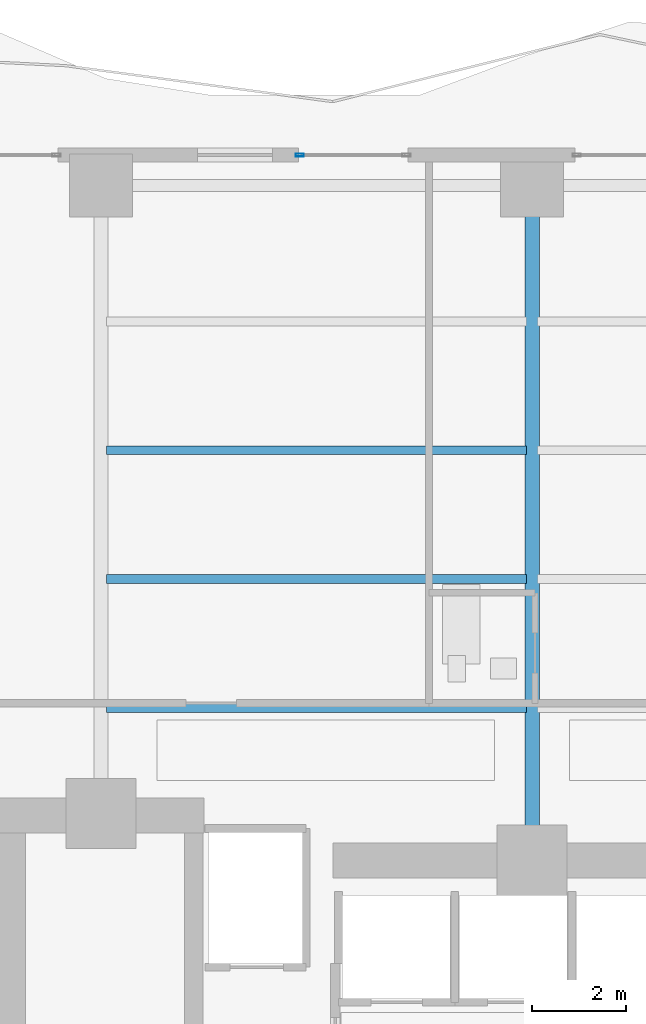
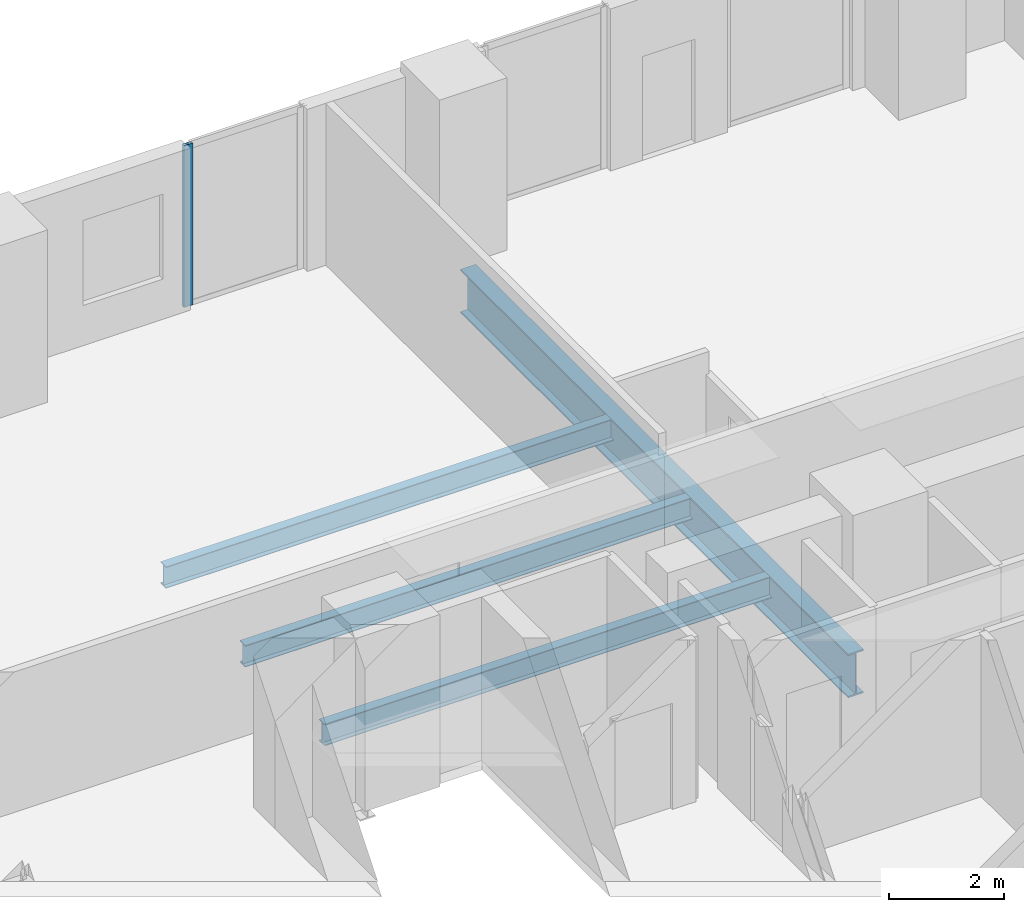
# One storey, part 15 of 28: 4 beams, 1 member, 1 element without a shape of its own.
"""IFC4 building model written with IfcOpenShell, lengths in metres."""

from ifc_helpers import new_model, si_unit, direction, frame, origin, origin_2d, place, context, subcontext, project, spatial, hollow_rectangle, i_section, extrude, material, layer, layer_set, material_profile, profile_set, type_object, element, aggregate, save


model = new_model("IFC4")

# Units and contexts
model_context = context("Model", 3, precision=1e-05, world=origin(), true_north=direction((0.0, 1.0)))
body_context = subcontext(model_context, "Body", "Model", "MODEL_VIEW")
ifc_project = project(units=[si_unit("LENGTHUNIT", "METRE"), si_unit("AREAUNIT", "SQUARE_METRE"), si_unit("VOLUMEUNIT", "CUBIC_METRE"), si_unit("PLANEANGLEUNIT", "RADIAN"), si_unit("MASSUNIT", "GRAM", prefix="KILO")], contexts=[model_context])

# Site, building, storey
site_placement = place(None, origin())
site = spatial("IfcSite", under=ifc_project, at=site_placement, CompositionType="ELEMENT")
building_placement = place(site_placement, origin())
building = spatial("IfcBuilding", under=site, at=building_placement, Name="Zuhayl Quay Hotel", CompositionType="ELEMENT")
storey_placement = place(building_placement, frame((0.0, 0.0, 139.449951171875)))
storey = spatial("IfcBuildingStorey", under=building, at=storey_placement, Name="L35", CompositionType="ELEMENT", Elevation=139.449951171875)

# Beams
ifc_material_1 = material(Name="Steel ASTM A992 Grade 50", Category="steel")
ifc_material_profile_1 = material_profile(ifc_material_1, i_section(OverallWidth=0.18994140625, OverallDepth=0.45703125, WebThickness=0.009033203125, FlangeThickness=0.014404296875, at=origin_2d()), Name="W18X50")
ifc_profile_set_1 = profile_set([ifc_material_profile_1], Name="Steel ASTM A992 Grade 50")
beam_type_1 = type_object("IfcBeamType", Name="BM_J2_W18X50", PredefinedType="JOIST", material=ifc_profile_set_1)
for number, where, z_axis, x_axis, name in (
    (1, (-13.680908203125, 16.60009765625, -0.448486328125), (1.0, 0.0, 0.0), (0.0, 1.0, 0.0), "L35 Floor Beam FJ_L35_1_1"),
    (2, (-13.680908203125, 19.35009765625, -0.448486328125), (1.0, 0.0, 0.0), (0.0, 1.0, 0.0), "L35 Floor Beam FJ_L35_2_1"),
    (3, (-13.680908203125, 22.10009765625, -0.448486328125), (1.0, 0.0, 0.0), (0.0, 1.0, 0.0), "L35 Floor Beam FJ_L35_3_1"),
):
    element("IfcBeam", number, at=place(storey_placement, frame(where, z_axis=z_axis, x_axis=x_axis)), inside=storey, type_object=beam_type_1, Name=name, PredefinedType="JOIST", context=body_context, shape_type="SweptSolid", body=[
        extrude(i_section(OverallWidth=0.18994140625, OverallDepth=0.45703125, WebThickness=0.009033203125, FlangeThickness=0.014404296875, at=origin_2d()), origin(), (0.0, 0.0, 1.0), 8.9619140625),
    ])
ifc_material_profile_2 = material_profile(ifc_material_1, i_section(OverallWidth=0.306884765625, OverallDepth=0.927001953125, WebThickness=0.019287109375, FlangeThickness=0.031982421875, at=origin_2d()), Name="W36X194")
ifc_profile_set_2 = profile_set([ifc_material_profile_2], Name="Steel ASTM A992 Grade 50")
beam_type_2 = type_object("IfcBeamType", Name="BM_PG2_W36X194", PredefinedType="BEAM", material=ifc_profile_set_2)
beam_placement = place(storey_placement, frame((-4.60009765625, 13.800048828125, -0.683349609375), z_axis=(0.0, 1.0, 0.0), x_axis=(-1.0, 0.0, 0.0)))
element("IfcBeam", 4, at=beam_placement, inside=storey, type_object=beam_type_2, Name="L35 Floor Beam FG_N_L35_2", PredefinedType="BEAM", context=body_context, shape_type="SweptSolid", body=[
    extrude(i_section(OverallWidth=0.306884765625, OverallDepth=0.927001953125, WebThickness=0.019287109375, FlangeThickness=0.031982421875, at=origin_2d()), origin(), (0.0, 0.0, 1.0), 13.449951171875),
])

# Curtain wall, member
ifc_material_2 = material(Name="Anodised Aluminium 6063-T6", Category="aluminium")
ifc_layer = layer(ifc_material_2, 0.179931640625, Name="Anodised Aluminium 6063-T6", Category="aluminium")
ifc_layer_set = layer_set([ifc_layer], Name="Anodised Aluminium 6063-T6")
curtain_wall_type = type_object("IfcCurtainWallType", Name="CW_SYS_Z2", PredefinedType="USERDEFINED", material=ifc_layer_set)
curtain_wall_placement = place(storey_placement, origin())
curtain_wall = element("IfcCurtainWall", 5, at=curtain_wall_placement, inside=storey, type_object=curtain_wall_type, Name="L35 Curtain Wall ENV_L35_N_CW2", ObjectType="UNITISED CURTAIN WALL", PredefinedType="USERDEFINED")
ifc_material_3 = material(Name="Black-anodised aluminium 6063-T6", Category="aluminium")
ifc_material_profile_3 = material_profile(ifc_material_3, hollow_rectangle(XDim=0.06494140625, YDim=0.179931640625, WallThickness=0.00341796875, at=origin_2d()), Name="ALU180X65")
ifc_profile_set_3 = profile_set([ifc_material_profile_3], Name="Black-anodised aluminium 6063-T6")
member_type = type_object("IfcMemberType", Name="MB_CW_MUL_180", PredefinedType="MULLION", material=ifc_profile_set_3)
member_placement = place(storey_placement, frame((-9.5576171875, 28.39990234375, 0.0), z_axis=(0.0, 0.0, 1.0), x_axis=(0.0, 1.0, 0.0)))
member = element("IfcMember", 6, at=member_placement, type_object=member_type, Name="CW-Z2 mullion 1", PredefinedType="MULLION", context=body_context, shape_type="SweptSolid", body=[
    extrude(hollow_rectangle(XDim=0.06494140625, YDim=0.179931640625, WallThickness=0.00341796875, at=origin_2d()), origin(), (0.0, 0.0, 1.0), 3.429931640625),
])
aggregate(curtain_wall, [member])

save(model, "model.ifc")
